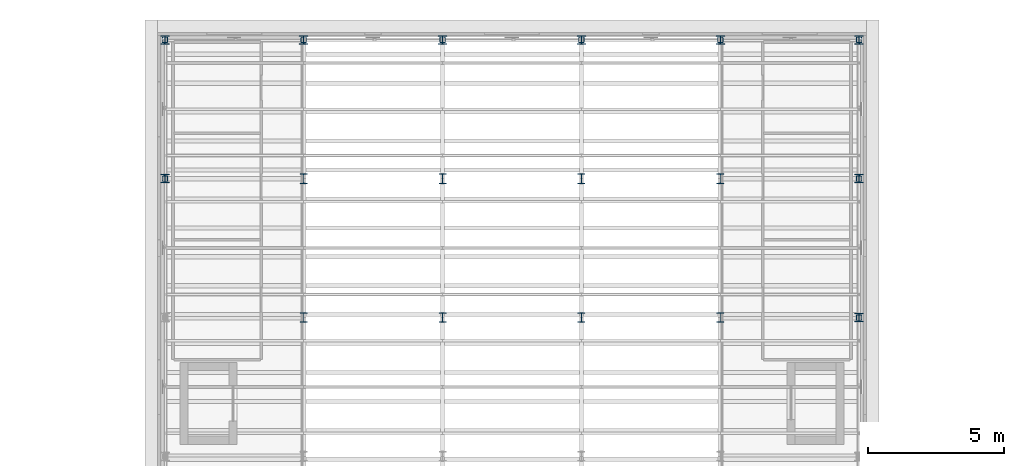
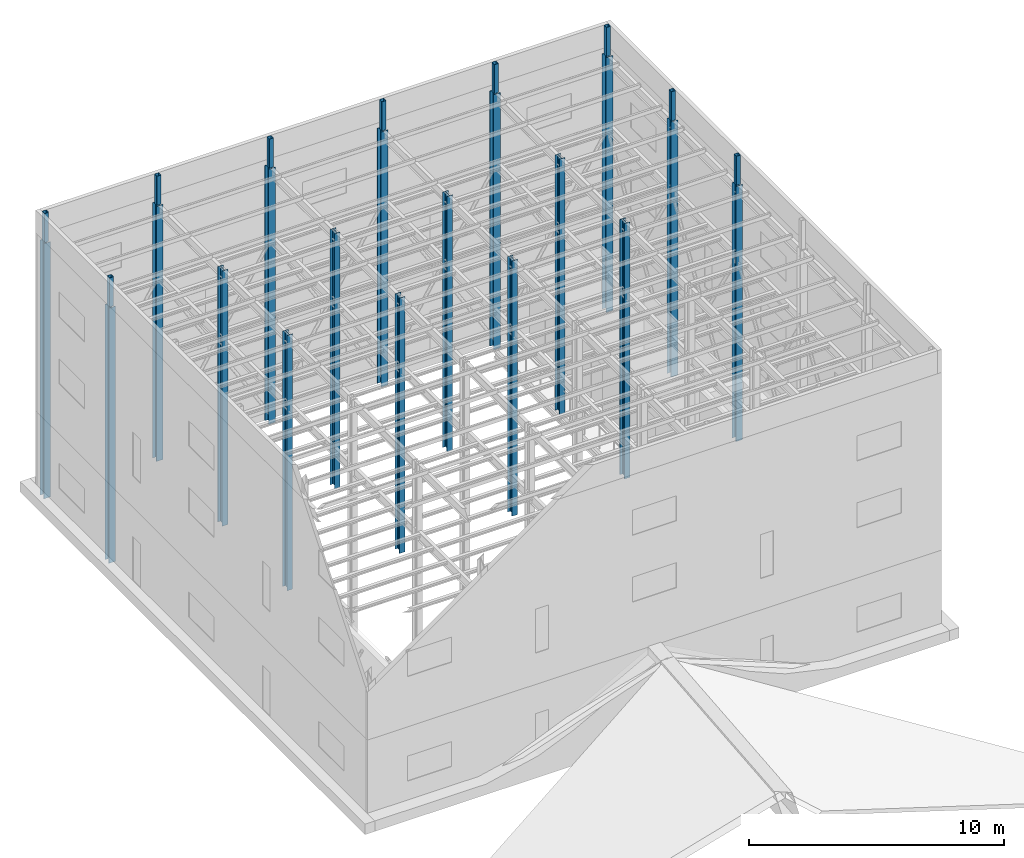
# One storey, part 2 of 22: 26 columns.
"""IFC4 building model written with IfcOpenShell, lengths in metres."""

from ifc_helpers import new_model, si_unit, direction, frame, origin, origin_2d, place, context, subcontext, project, spatial, hollow_rectangle, i_section, extrude, material, material_profile, profile_set, type_object, element, save


model = new_model("IFC4")

# Units and contexts
model_context = context("Model", 3, precision=1e-05, world=origin(), true_north=direction((0.0, 1.0)))
body_context = subcontext(model_context, "Body", "Model", "MODEL_VIEW")
ifc_project = project(units=[si_unit("LENGTHUNIT", "METRE"), si_unit("AREAUNIT", "SQUARE_METRE"), si_unit("VOLUMEUNIT", "CUBIC_METRE"), si_unit("PLANEANGLEUNIT", "RADIAN"), si_unit("MASSUNIT", "GRAM", prefix="KILO")], contexts=[model_context])

# Site, building, storey
site_placement = place(None, origin())
site = spatial("IfcSite", under=ifc_project, at=site_placement, CompositionType="ELEMENT")
building_placement = place(site_placement, origin())
building = spatial("IfcBuilding", under=site, at=building_placement, Name="Tide Square Theatres", CompositionType="ELEMENT")
storey_placement = place(building_placement, frame((0.0, 0.0, 24.0)))
storey = spatial("IfcBuildingStorey", under=building, at=storey_placement, Name="L05", CompositionType="ELEMENT", Elevation=24.0)

# Columns
ifc_material_1 = material(Name="Steel ASTM A572 Grade 50", Category="steel")
ifc_material_profile_1 = material_profile(ifc_material_1, i_section(OverallWidth=0.31201171875, OverallDepth=0.31201171875, WebThickness=0.017333984375, FlangeThickness=0.017333984375, FilletRadius=0.01611328125, at=origin_2d()))
ifc_profile_set_1 = profile_set([ifc_material_profile_1], Name="Steel ASTM A572 Grade 50")
column_type_1 = type_object("IfcColumnType", Name="Steel column HP 310 x 125.0", PredefinedType="COLUMN", material=ifc_profile_set_1)
for number, where, z_axis, x_axis, name in (
    (1, (71.27587890625, 76.634521484375, 0.0), (0.0, 0.0, 1.0), (1.0, 0.0, 0.0), "Fly tower column"),
    (2, (71.27587890625, 81.72412109375, 0.0), (0.0, 0.0, 1.0), (1.0, 0.0, 0.0), "Fly tower column"),
    (3, (76.365478515625, 81.72412109375, 0.0), (0.0, 0.0, 1.0), (1.0, 0.0, 0.0), "Fly tower column"),
    (4, (81.455078125, 81.72412109375, 0.0), (0.0, 0.0, 1.0), (1.0, 0.0, 0.0), "Fly tower column"),
    (5, (86.544921875, 81.72412109375, 0.0), (0.0, 0.0, 1.0), (1.0, 0.0, 0.0), "Fly tower column"),
    (6, (91.634521484375, 81.72412109375, 0.0), (0.0, 0.0, 1.0), (1.0, 0.0, 0.0), "Fly tower column"),
    (7, (96.72412109375, 71.544921875, 0.0), (0.0, 0.0, 1.0), (1.0, 0.0, 0.0), "Fly tower column"),
    (8, (96.72412109375, 76.634521484375, 0.0), (0.0, 0.0, 1.0), (1.0, 0.0, 0.0), "Fly tower column"),
    (9, (96.72412109375, 81.72412109375, 0.0), (0.0, 0.0, 1.0), (1.0, 0.0, 0.0), "Fly tower column"),
):
    element("IfcColumn", number, at=place(storey_placement, frame(where, z_axis=z_axis, x_axis=x_axis)), inside=storey, type_object=column_type_1, Name=name, PredefinedType="COLUMN", context=body_context, shape_type="SweptSolid", body=[
        extrude(i_section(OverallWidth=0.31201171875, OverallDepth=0.31201171875, WebThickness=0.017333984375, FlangeThickness=0.017333984375, FilletRadius=0.01611328125, at=origin_2d()), origin(), (0.0, 0.0, 1.0), 12.2099609375),
    ])
ifc_material_2 = material(Name="Steel ASTM A500 Grade C", Category="steel")
ifc_material_profile_2 = material_profile(ifc_material_2, hollow_rectangle(XDim=0.199951171875, YDim=0.199951171875, WallThickness=0.010009765625, InnerFilletRadius=0.010009765625, OuterFilletRadius=0.02001953125, at=origin_2d()))
ifc_profile_set_2 = profile_set([ifc_material_profile_2], Name="Steel ASTM A500 Grade C")
column_type_2 = type_object("IfcColumnType", Name="Steel column RHS 200 x 200 x 10.0", PredefinedType="COLUMN", material=ifc_profile_set_2)
for number, where, z_axis, x_axis, name in (
    (10, (71.280029296875, 76.634521484375, 12.2099609375), (0.0, 0.0, 1.0), (1.0, 0.0, 0.0), "Fly tower parapet post"),
    (11, (71.280029296875, 81.719970703125, 12.2099609375), (0.0, 0.0, 1.0), (1.0, 0.0, 0.0), "Fly tower parapet post"),
    (12, (76.365478515625, 81.719970703125, 12.2099609375), (0.0, 0.0, 1.0), (1.0, 0.0, 0.0), "Fly tower parapet post"),
    (13, (81.455078125, 81.719970703125, 12.2099609375), (0.0, 0.0, 1.0), (1.0, 0.0, 0.0), "Fly tower parapet post"),
    (14, (86.544921875, 81.719970703125, 12.2099609375), (0.0, 0.0, 1.0), (1.0, 0.0, 0.0), "Fly tower parapet post"),
    (15, (91.634521484375, 81.719970703125, 12.2099609375), (0.0, 0.0, 1.0), (1.0, 0.0, 0.0), "Fly tower parapet post"),
    (16, (96.719970703125, 71.544921875, 12.2099609375), (0.0, 0.0, 1.0), (1.0, 0.0, 0.0), "Fly tower parapet post"),
    (17, (96.719970703125, 76.634521484375, 12.2099609375), (0.0, 0.0, 1.0), (1.0, 0.0, 0.0), "Fly tower parapet post"),
    (18, (96.719970703125, 81.719970703125, 12.2099609375), (0.0, 0.0, 1.0), (1.0, 0.0, 0.0), "Fly tower parapet post"),
):
    element("IfcColumn", number, at=place(storey_placement, frame(where, z_axis=z_axis, x_axis=x_axis)), inside=storey, type_object=column_type_2, Name=name, PredefinedType="COLUMN", context=body_context, shape_type="SweptSolid", body=[
        extrude(hollow_rectangle(XDim=0.199951171875, YDim=0.199951171875, WallThickness=0.010009765625, InnerFilletRadius=0.010009765625, OuterFilletRadius=0.02001953125, at=origin_2d()), origin(), (0.0, 0.0, 1.0), 1.39013671875),
    ])
ifc_material_3 = material(Name="Steel ASTM A572 Grade 50", Category="steel")
ifc_material_profile_3 = material_profile(ifc_material_3, i_section(OverallWidth=0.257080078125, OverallDepth=0.363037109375, WebThickness=0.012939453125, FlangeThickness=0.021728515625, FilletRadius=0.01611328125, at=origin_2d()))
ifc_profile_set_3 = profile_set([ifc_material_profile_3], Name="Steel ASTM A572 Grade 50")
column_type_3 = type_object("IfcColumnType", Name="Steel column W 360 x 122.0", PredefinedType="COLUMN", material=ifc_profile_set_3)
for number, where, z_axis, x_axis, name in (
    (19, (76.365478515625, 71.544921875, 0.0), (0.0, 0.0, 1.0), (1.0, 0.0, 0.0), "Fly tower column"),
    (20, (76.365478515625, 76.634521484375, 0.0), (0.0, 0.0, 1.0), (1.0, 0.0, 0.0), "Fly tower column"),
    (21, (81.455078125, 71.544921875, 0.0), (0.0, 0.0, 1.0), (1.0, 0.0, 0.0), "Fly tower column"),
    (22, (81.455078125, 76.634521484375, 0.0), (0.0, 0.0, 1.0), (1.0, 0.0, 0.0), "Fly tower column"),
    (23, (86.544921875, 71.544921875, 0.0), (0.0, 0.0, 1.0), (1.0, 0.0, 0.0), "Fly tower column"),
    (24, (86.544921875, 76.634521484375, 0.0), (0.0, 0.0, 1.0), (1.0, 0.0, 0.0), "Fly tower column"),
    (25, (91.634521484375, 71.544921875, 0.0), (0.0, 0.0, 1.0), (1.0, 0.0, 0.0), "Fly tower column"),
    (26, (91.634521484375, 76.634521484375, 0.0), (0.0, 0.0, 1.0), (1.0, 0.0, 0.0), "Fly tower column"),
):
    element("IfcColumn", number, at=place(storey_placement, frame(where, z_axis=z_axis, x_axis=x_axis)), inside=storey, type_object=column_type_3, Name=name, PredefinedType="COLUMN", context=body_context, shape_type="SweptSolid", body=[
        extrude(i_section(OverallWidth=0.257080078125, OverallDepth=0.363037109375, WebThickness=0.012939453125, FlangeThickness=0.021728515625, FilletRadius=0.01611328125, at=origin_2d()), origin(), (0.0, 0.0, 1.0), 12.2099609375),
    ])

save(model, "model.ifc")
